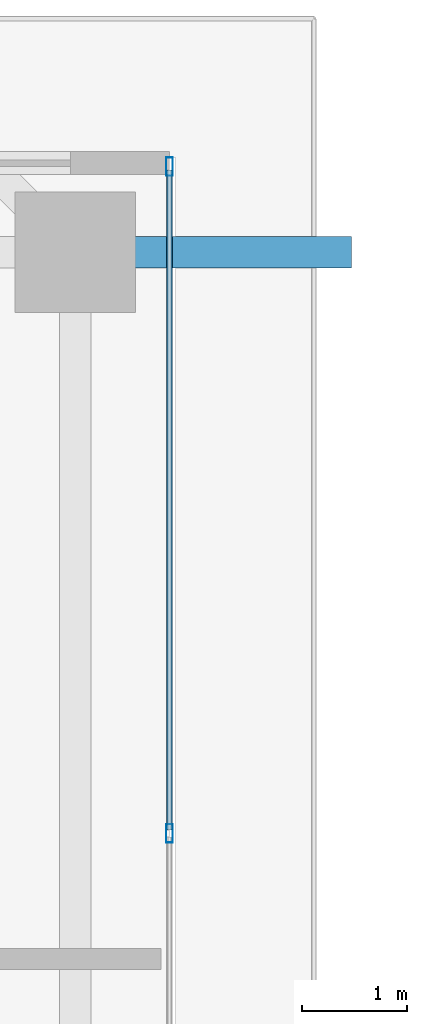
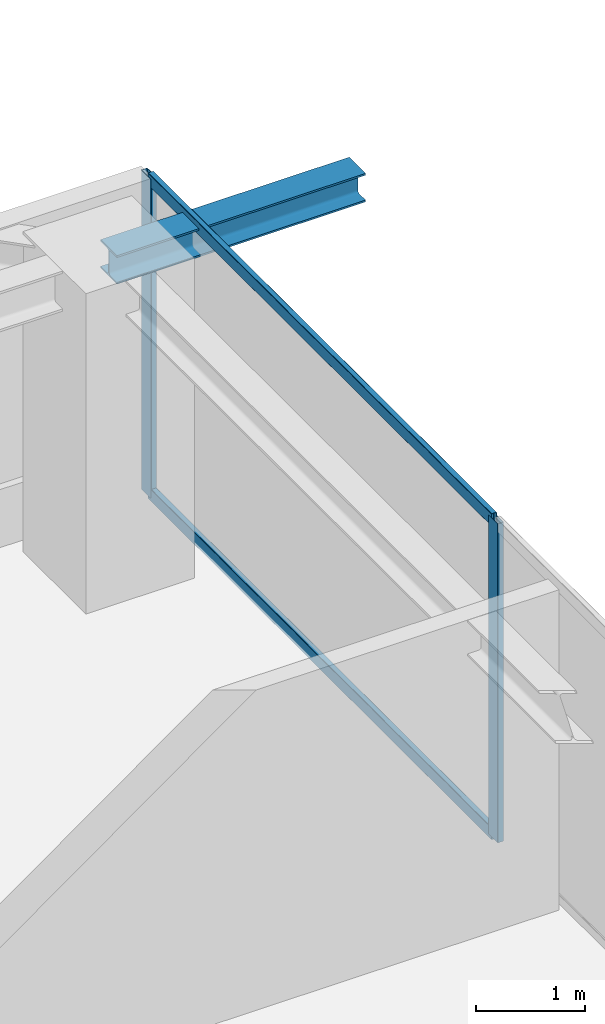
# One storey, part 22 of 36: 4 members, 1 beam, 1 element without a shape of its own.
"""IFC4 building model written with IfcOpenShell, lengths in metres."""

from ifc_helpers import new_model, si_unit, direction, frame, origin, origin_2d, place, context, subcontext, project, spatial, hollow_rectangle, i_section, extrude, source, transform, mapped, material, layer, layer_set, material_profile, profile_set, type_object, element, aggregate, save


model = new_model("IFC4")

# Units and contexts
model_context = context("Model", 3, precision=1e-05, world=origin(), true_north=direction((0.0, 1.0)))
body_context = subcontext(model_context, "Body", "Model", "MODEL_VIEW")
ifc_project = project(units=[si_unit("LENGTHUNIT", "METRE"), si_unit("AREAUNIT", "SQUARE_METRE"), si_unit("VOLUMEUNIT", "CUBIC_METRE"), si_unit("PLANEANGLEUNIT", "RADIAN"), si_unit("MASSUNIT", "GRAM", prefix="KILO")], contexts=[model_context])

# Site, building, storey
site_placement = place(None, origin())
site = spatial("IfcSite", under=ifc_project, at=site_placement, CompositionType="ELEMENT")
building_placement = place(site_placement, origin())
building = spatial("IfcBuilding", under=site, at=building_placement, Name="Serunith Strait Residences", CompositionType="ELEMENT")
storey_placement = place(building_placement, frame((0.0, 0.0, 256.64990234375)))
storey = spatial("IfcBuildingStorey", under=building, at=storey_placement, Name="L64", CompositionType="ELEMENT", Elevation=256.64990234375)

# Beam
ifc_material_1 = material(Name="Steel S355J2", Category="steel")
ifc_material_profile_1 = material_profile(ifc_material_1, i_section(OverallWidth=0.300048828125, OverallDepth=0.320068359375, WebThickness=0.011474609375, FlangeThickness=0.0205078125, FilletRadius=0.027099609375, at=origin_2d()), Name="HEB 320")
ifc_profile_set_1 = profile_set([ifc_material_profile_1], Name="Steel S355J2")
beam_type = type_object("IfcBeamType", Name="BM-HEB320", PredefinedType="BEAM", material=ifc_profile_set_1)
shared_shape_1 = source(origin(), body_context, "Body", "SweptSolid", [
    extrude(i_section(OverallWidth=0.300048828125, OverallDepth=0.320068359375, WebThickness=0.011474609375, FlangeThickness=0.0205078125, FilletRadius=0.027099609375, at=origin_2d()), origin(), (0.0, 0.0, 1.0), 2.636474609375),
])
beam_placement = place(storey_placement, frame((56.5, 40.35009765625, 3.397216796875), z_axis=(1.0, 0.0, 0.0), x_axis=(0.0, 1.0, 0.0)))
element("IfcBeam", 1, at=beam_placement, inside=storey, type_object=beam_type, Name="L65 Cantilevered Balcony Rib TC-E4", PredefinedType="BEAM", context=body_context, shape_type="MappedRepresentation", body=[
    mapped(shared_shape_1, transform((0.0, 0.0, 0.0), scale=1.0)),
])

# Curtain wall, members
ifc_material_2 = material(Name="Pale-Champagne Anodised Aluminium", Category="aluminium")
ifc_layer = layer(ifc_material_2, 0.199951171875, Name="Pale-Champagne Anodised Aluminium")
ifc_layer_set = layer_set([ifc_layer], Name="Pale-Champagne Anodised Aluminium")
curtain_wall_type = type_object("IfcCurtainWallType", Name="CW-SYS4", PredefinedType="NOTDEFINED", material=ifc_layer_set)
curtain_wall_placement = place(storey_placement, origin())
curtain_wall = element("IfcCurtainWall", 2, at=curtain_wall_placement, inside=storey, type_object=curtain_wall_type, Name="L64 E Unitised Fritted Curtain Wall", PredefinedType="NOTDEFINED")
ifc_material_profile_2 = material_profile(ifc_material_2, hollow_rectangle(XDim=0.06005859375, YDim=0.139892578125, WallThickness=0.00341796875, InnerFilletRadius=0.00537109375, OuterFilletRadius=0.0087890625, at=origin_2d()), Name="ALU 140x60x3.5")
ifc_profile_set_2 = profile_set([ifc_material_profile_2], Name="Pale-Champagne Anodised Aluminium")
member_type_1 = type_object("IfcMemberType", Name="CW-SYS4-TRAN", PredefinedType="USERDEFINED", material=ifc_profile_set_2)
shared_shape_2 = source(origin(), body_context, "Body", "SweptSolid", [
    extrude(hollow_rectangle(XDim=0.06005859375, YDim=0.139892578125, WallThickness=0.00341796875, InnerFilletRadius=0.00537109375, OuterFilletRadius=0.0087890625, at=origin_2d()), origin(), (0.0, 0.0, 1.0), 6.302490234375),
])
member_1_placement = place(storey_placement, frame((57.39990234375, 34.83251953125, 0.030029296875), z_axis=(0.0, 1.0, 0.0), x_axis=(-1.0, 0.0, 0.0)))
member_1 = element("IfcMember", 3, at=member_1_placement, type_object=member_type_1, Name="CW-4 transom 5.1", ObjectType="TRANSOM", PredefinedType="USERDEFINED", context=body_context, shape_type="MappedRepresentation", body=[
    mapped(shared_shape_2, transform((0.0, 0.0, 0.0), scale=1.0)),
])
member_2_placement = place(storey_placement, frame((57.39990234375, 34.83251953125, 3.545166015625), z_axis=(0.0, 1.0, 0.0), x_axis=(-1.0, 0.0, 0.0)))
member_2 = element("IfcMember", 4, at=member_2_placement, type_object=member_type_1, Name="CW-4 transom 5.2", ObjectType="TRANSOM", PredefinedType="USERDEFINED", context=body_context, shape_type="MappedRepresentation", body=[
    mapped(shared_shape_2, transform((0.0, 0.0, 0.0), scale=1.0)),
])
ifc_material_profile_3 = material_profile(ifc_material_2, hollow_rectangle(XDim=0.06494140625, YDim=0.179931640625, WallThickness=0.00341796875, InnerFilletRadius=0.00537109375, OuterFilletRadius=0.0087890625, at=origin_2d()), Name="ALU 180x65x3.5")
ifc_profile_set_3 = profile_set([ifc_material_profile_3], Name="Pale-Champagne Anodised Aluminium")
member_type_2 = type_object("IfcMemberType", Name="CW-SYS4-MULL", PredefinedType="MULLION", material=ifc_profile_set_3)
shared_shape_3 = source(origin(), body_context, "Body", "SweptSolid", [
    extrude(hollow_rectangle(XDim=0.06494140625, YDim=0.179931640625, WallThickness=0.00341796875, InnerFilletRadius=0.00537109375, OuterFilletRadius=0.0087890625, at=origin_2d()), origin(), (0.0, 0.0, 1.0), 3.5751953125),
])
member_3_placement = place(storey_placement, frame((57.39990234375, 34.800048828125, 0.0), z_axis=(0.0, 0.0, 1.0), x_axis=(-1.0, 0.0, 0.0)))
member_3 = element("IfcMember", 5, at=member_3_placement, type_object=member_type_2, Name="CW-4 mullion 5", PredefinedType="MULLION", context=body_context, shape_type="MappedRepresentation", body=[
    mapped(shared_shape_3, transform((0.0, 0.0, 0.0), scale=1.0)),
])
member_4_placement = place(storey_placement, frame((57.39990234375, 41.16748046875, 0.0), z_axis=(0.0, 0.0, 1.0), x_axis=(-1.0, 0.0, 0.0)))
member_4 = element("IfcMember", 6, at=member_4_placement, type_object=member_type_2, Name="CW-4 mullion 6", PredefinedType="MULLION", context=body_context, shape_type="MappedRepresentation", body=[
    mapped(shared_shape_3, transform((0.0, 0.0, 0.0), scale=1.0)),
])
aggregate(curtain_wall, [member_3, member_4, member_1, member_2])

save(model, "model.ifc")
